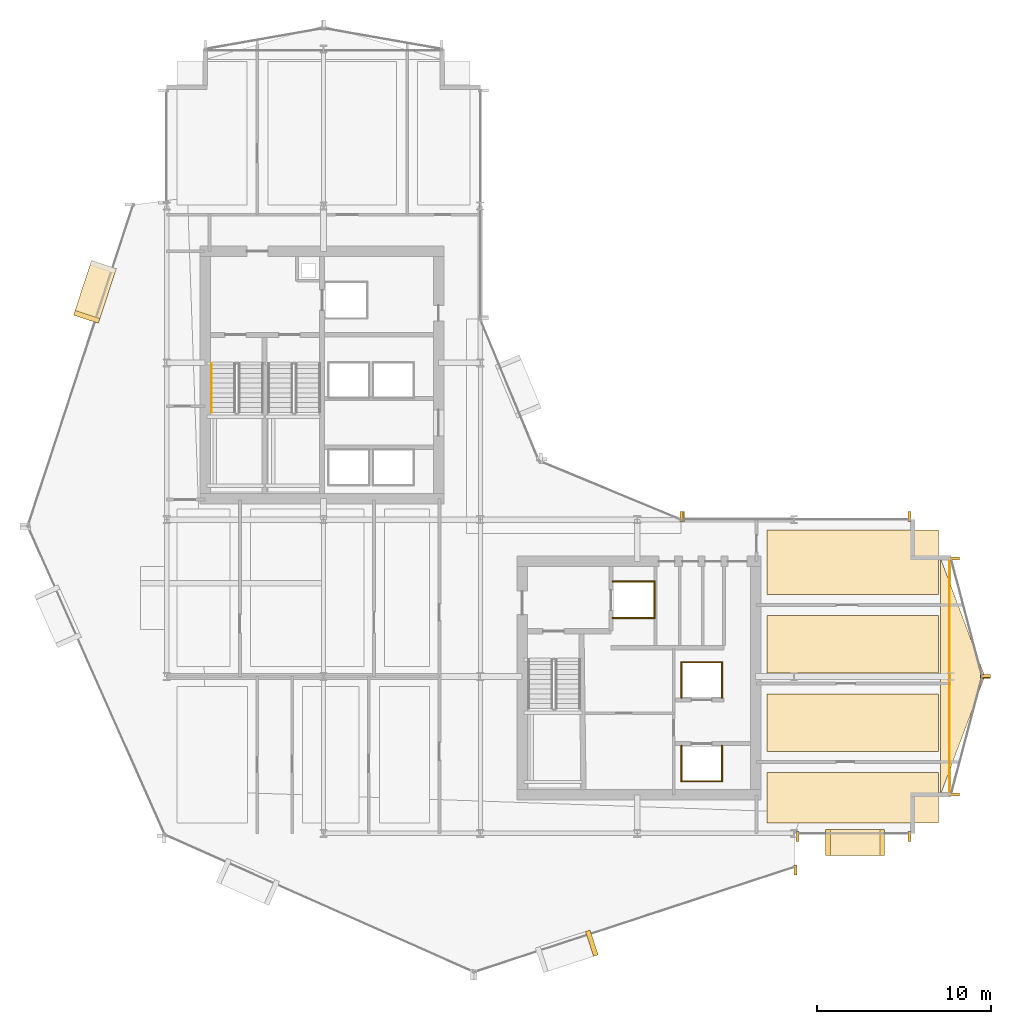
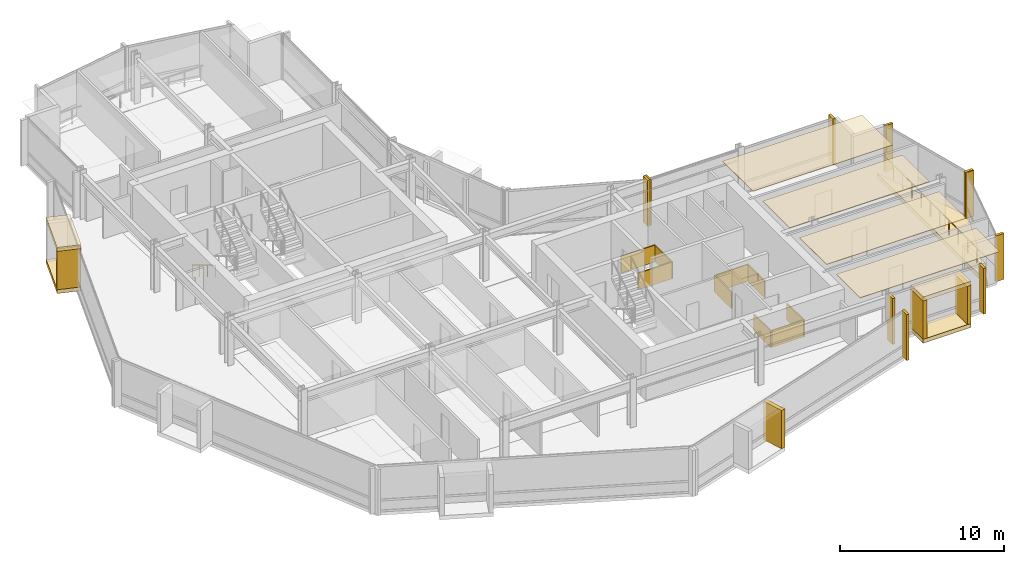
# One storey, part 28 of 29: 32 coverings, 2 railings.
"""IFC4 building model written with IfcOpenShell, lengths in metres."""

from ifc_helpers import new_model, si_unit, direction, frame, origin, origin_2d, place, context, subcontext, project, spatial, polyline, rectangle, circle, outline, extrude, material, layer, layer_set, type_object, element, save


model = new_model("IFC4")

# Units and contexts
model_context = context("Model", 3, precision=1e-05, world=origin(), true_north=direction((0.0, 1.0)))
body_context = subcontext(model_context, "Body", "Model", "MODEL_VIEW")
ifc_project = project(units=[si_unit("LENGTHUNIT", "METRE"), si_unit("AREAUNIT", "SQUARE_METRE"), si_unit("VOLUMEUNIT", "CUBIC_METRE"), si_unit("PLANEANGLEUNIT", "RADIAN"), si_unit("MASSUNIT", "GRAM", prefix="KILO")], contexts=[model_context])

# Site, building, storey
site_placement = place(None, origin())
site = spatial("IfcSite", under=ifc_project, at=site_placement, CompositionType="ELEMENT")
building_placement = place(site_placement, origin())
building = spatial("IfcBuilding", under=site, at=building_placement, Name="Solvaryn Broadcast Tower", CompositionType="ELEMENT")
storey_placement = place(building_placement, frame((0.0, 0.0, 121.10009765625)))
storey = spatial("IfcBuildingStorey", under=building, at=storey_placement, Name="L29", CompositionType="ELEMENT", Elevation=121.10009765625)

# Coverings
ifc_material_1 = material(Name="Micro-Perforated Acoustic Gypsum Ceiling", Category="concrete")
ifc_layer_1 = layer(ifc_material_1, 0.0400390625)
ifc_layer_set_1 = layer_set([ifc_layer_1], Name="CV-CEIL-ACOUSTIC")
covering_type_1 = type_object("IfcCoveringType", Name="CV-CEIL-ACOUSTIC", PredefinedType="CEILING", material=ifc_layer_set_1)
covering_1_placement = place(storey_placement, frame((0.0, 0.0, 3.3798828125)))
element("IfcCovering", 1, at=covering_1_placement, inside=storey, type_object=covering_type_1, Name="L29 Room Acoustic Ceiling 10", PredefinedType="CEILING", context=body_context, shape_type="SweptSolid", body=[
    extrude(outline(polyline([(43.449951171875, 9.60009765625), (53.300048828125, 9.60009765625), (53.300048828125, 12.5), (43.449951171875, 12.5), (43.449951171875, 9.60009765625)])), origin(), (0.0, 0.0, 1.0), 0.0400390625),
])
covering_2_placement = place(storey_placement, frame((0.0, 0.0, 3.3798828125)))
element("IfcCovering", 2, at=covering_2_placement, inside=storey, type_object=covering_type_1, Name="L29 Room Acoustic Ceiling 11", PredefinedType="CEILING", context=body_context, shape_type="SweptSolid", body=[
    extrude(outline(polyline([(43.449951171875, 13.699951171875), (53.300048828125, 13.699951171875), (53.300048828125, 17.0), (43.449951171875, 17.0), (43.449951171875, 13.699951171875)])), origin(), (0.0, 0.0, 1.0), 0.0400390625),
])
covering_3_placement = place(storey_placement, frame((0.0, 0.0, 3.3798828125)))
element("IfcCovering", 3, at=covering_3_placement, inside=storey, type_object=covering_type_1, Name="L29 Room Acoustic Ceiling 12", PredefinedType="CEILING", context=body_context, shape_type="SweptSolid", body=[
    extrude(outline(polyline([(43.449951171875, 18.199951171875), (53.300048828125, 18.199951171875), (53.300048828125, 21.5), (43.449951171875, 21.5), (43.449951171875, 18.199951171875)])), origin(), (0.0, 0.0, 1.0), 0.0400390625),
])
covering_4_placement = place(storey_placement, frame((0.0, 0.0, 3.3798828125)))
element("IfcCovering", 4, at=covering_4_placement, inside=storey, type_object=covering_type_1, Name="L29 Room Acoustic Ceiling 13", PredefinedType="CEILING", context=body_context, shape_type="SweptSolid", body=[
    extrude(outline(polyline([(43.449951171875, 22.699951171875), (53.300048828125, 22.699951171875), (53.300048828125, 26.39990234375), (43.449951171875, 26.39990234375), (43.449951171875, 22.699951171875)])), origin(), (0.0, 0.0, 1.0), 0.0400390625),
])
ifc_material_2 = material(Name="Fire-Rated Gypsum Shaftwall Liner", Category="concrete")
ifc_layer_2 = layer(ifc_material_2, 0.080078125)
ifc_layer_set_2 = layer_set([ifc_layer_2], Name="CV-SHAFT-LINER")
covering_type_2 = type_object("IfcCoveringType", Name="CV-SHAFT-LINER", PredefinedType="CLADDING", material=ifc_layer_set_2)
for number, where, z_axis, x_axis, name in (
    (5, (35.800048828125, 23.43994140625, 0.0), (0.0, 0.0, 1.0), (1.0, 0.0, 0.0), "L29 FL2 Hoistway Shaft Liner North"),
    (6, (35.800048828125, 21.360107421875, 0.0), (0.0, 0.0, 1.0), (1.0, 0.0, 0.0), "L29 FL2 Hoistway Shaft Liner South"),
):
    element("IfcCovering", number, at=place(storey_placement, frame(where, z_axis=z_axis, x_axis=x_axis)), inside=storey, type_object=covering_type_2, Name=name, PredefinedType="CLADDING", context=body_context, shape_type="SweptSolid", body=[
        extrude(rectangle(XDim=2.4599609375, YDim=0.080078125, at=origin_2d()), origin(), (0.0, 0.0, 1.0), 1.25),
    ])
covering_5_placement = place(storey_placement, frame((36.989990234375, 22.39990234375, 0.0), z_axis=(0.0, 0.0, 1.0), x_axis=(1.0, 0.0, 0.0)))
element("IfcCovering", 7, at=covering_5_placement, inside=storey, type_object=covering_type_2, Name="L29 FL2 Hoistway Shaft Liner East", PredefinedType="CLADDING", context=body_context, shape_type="SweptSolid", body=[
    extrude(rectangle(XDim=0.080078125, YDim=2.159912109375, at=origin_2d()), origin(), (0.0, 0.0, 1.0), 1.25),
])
covering_6_placement = place(storey_placement, frame((39.699951171875, 11.985107421875, 0.0), z_axis=(0.0, 0.0, 1.0), x_axis=(1.0, 0.0, 0.0)))
element("IfcCovering", 8, at=covering_6_placement, inside=storey, type_object=covering_type_2, Name="L29 PM1 Hoistway Shaft Liner South", PredefinedType="CLADDING", context=body_context, shape_type="SweptSolid", body=[
    extrude(rectangle(XDim=2.409912109375, YDim=0.080078125, at=origin_2d()), origin(), (0.0, 0.0, 1.0), 1.25),
])
for number, where, z_axis, x_axis, name in (
    (9, (40.864990234375, 13.0, 0.0), (0.0, 0.0, 1.0), (1.0, 0.0, 0.0), "L29 PM1 Hoistway Shaft Liner East"),
    (10, (38.534912109375, 13.0, 0.0), (0.0, 0.0, 1.0), (1.0, 0.0, 0.0), "L29 PM1 Hoistway Shaft Liner West"),
):
    element("IfcCovering", number, at=place(storey_placement, frame(where, z_axis=z_axis, x_axis=x_axis)), inside=storey, type_object=covering_type_2, Name=name, PredefinedType="CLADDING", context=body_context, shape_type="SweptSolid", body=[
        extrude(rectangle(XDim=0.080078125, YDim=2.110107421875, at=origin_2d()), origin(), (0.0, 0.0, 1.0), 1.25),
    ])
covering_7_placement = place(storey_placement, frame((39.699951171875, 18.81494140625, 0.0), z_axis=(0.0, 0.0, 1.0), x_axis=(1.0, 0.0, 0.0)))
element("IfcCovering", 11, at=covering_7_placement, inside=storey, type_object=covering_type_2, Name="L29 PM2 Hoistway Shaft Liner North", PredefinedType="CLADDING", context=body_context, shape_type="SweptSolid", body=[
    extrude(rectangle(XDim=2.409912109375, YDim=0.080078125, at=origin_2d()), origin(), (0.0, 0.0, 1.0), 1.25),
])
for number, where, z_axis, x_axis, name in (
    (12, (40.864990234375, 17.800048828125, 0.0), (0.0, 0.0, 1.0), (1.0, 0.0, 0.0), "L29 PM2 Hoistway Shaft Liner East"),
    (13, (38.534912109375, 17.800048828125, 0.0), (0.0, 0.0, 1.0), (1.0, 0.0, 0.0), "L29 PM2 Hoistway Shaft Liner West"),
):
    element("IfcCovering", number, at=place(storey_placement, frame(where, z_axis=z_axis, x_axis=x_axis)), inside=storey, type_object=covering_type_2, Name=name, PredefinedType="CLADDING", context=body_context, shape_type="SweptSolid", body=[
        extrude(rectangle(XDim=0.080078125, YDim=2.110107421875, at=origin_2d()), origin(), (0.0, 0.0, 1.0), 1.25),
    ])
ifc_material_3 = material(Name="Glazed Architectural Terracotta Rainscreen Cladding", Category="masonry")
ifc_layer_3 = layer(ifc_material_3, 0.280029296875)
ifc_layer_set_3 = layer_set([ifc_layer_3], Name="CV-TC-CLAD")
covering_type_3 = type_object("IfcCoveringType", Name="CV-TC-CLAD", PredefinedType="CLADDING", material=ifc_layer_set_3)
for number, where, z_axis, x_axis, name in (
    (14, (4.883056640625, 40.071044921875, 3.1298828125), (0.0, 0.0, 1.0), (-0.311671636848, -0.950189870912, 0.0), "L29 Projecting Stone Window Box Hood 1"),
    (15, (4.883056640625, 40.071044921875, -0.01025390625), (0.0, 0.0, 1.0), (-0.311671636848, -0.950189870912, 0.0), "L29 Projecting Stone Window Box Sill 1"),
):
    element("IfcCovering", number, at=place(storey_placement, frame(where, z_axis=z_axis, x_axis=x_axis)), inside=storey, type_object=covering_type_3, Name=name, PredefinedType="CLADDING", context=body_context, shape_type="SweptSolid", body=[
        extrude(rectangle(XDim=3.300048828125, YDim=1.5, at=origin_2d()), origin(), (0.0, 0.0, 1.0), 0.300048828125),
    ])
for number, where, z_axis, x_axis, name in (
    (16, (4.412353515625, 38.63623046875, 0.27978515625), (0.0, 0.0, 1.0), (-0.311671636848, -0.950189870912, 0.0), "L29 Projecting Stone Window Box Cheek 1-2"),
    (17, (33.396728515625, 2.693603515625, 0.27978515625), (0.0, 0.0, 1.0), (0.950189870912, 0.311671636848, 0.0), "L29 Projecting Stone Window Box Cheek 4-2"),
):
    element("IfcCovering", number, at=place(storey_placement, frame(where, z_axis=z_axis, x_axis=x_axis)), inside=storey, type_object=covering_type_3, Name=name, PredefinedType="CLADDING", context=body_context, shape_type="SweptSolid", body=[
        extrude(rectangle(XDim=0.280029296875, YDim=1.5, at=origin_2d()), origin(), (0.0, 0.0, 1.0), 2.860107421875),
    ])
for number, where, z_axis, x_axis, name in (
    (18, (48.5, 8.469970703125, 3.1298828125), (0.0, 0.0, 1.0), (1.0, 0.0, 0.0), "L29 Projecting Stone Window Box Hood 6"),
    (19, (48.5, 8.469970703125, -0.01025390625), (0.0, 0.0, 1.0), (1.0, 0.0, 0.0), "L29 Projecting Stone Window Box Sill 6"),
):
    element("IfcCovering", number, at=place(storey_placement, frame(where, z_axis=z_axis, x_axis=x_axis)), inside=storey, type_object=covering_type_3, Name=name, PredefinedType="CLADDING", context=body_context, shape_type="SweptSolid", body=[
        extrude(rectangle(XDim=3.39990234375, YDim=1.5, at=origin_2d()), origin(), (0.0, 0.0, 1.0), 0.300048828125),
    ])
for number, where, z_axis, x_axis, name in (
    (20, (46.93994140625, 8.469970703125, 0.27978515625), (0.0, 0.0, 1.0), (1.0, 0.0, 0.0), "L29 Projecting Stone Window Box Cheek 6-1"),
    (21, (50.06005859375, 8.469970703125, 0.27978515625), (0.0, 0.0, 1.0), (1.0, 0.0, 0.0), "L29 Projecting Stone Window Box Cheek 6-2"),
):
    element("IfcCovering", number, at=place(storey_placement, frame(where, z_axis=z_axis, x_axis=x_axis)), inside=storey, type_object=covering_type_3, Name=name, PredefinedType="CLADDING", context=body_context, shape_type="SweptSolid", body=[
        extrude(rectangle(XDim=0.280029296875, YDim=1.5, at=origin_2d()), origin(), (0.0, 0.0, 1.0), 2.860107421875),
    ])
ifc_material_4 = material(Name="Extruded Architectural Terracotta Fin", Category="masonry")
ifc_layer_4 = layer(ifc_material_4, 0.179931640625)
ifc_layer_set_4 = layer_set([ifc_layer_4], Name="CV-TC-FIN")
covering_type_4 = type_object("IfcCoveringType", Name="CV-TC-FIN", PredefinedType="USERDEFINED", material=ifc_layer_set_4)
for number, where, z_axis, x_axis, name in (
    (22, (45.0947265625, 6.898681640625, 0.0), (0.0, 0.0, 1.0), (1.0, 0.0, 0.0), "L29 Terracotta Vertical Fin FIN-L29-DR4-M01"),
    (23, (38.541259765625, 27.177978515625, 0.0), (0.0, 0.0, 1.0), (1.0, 0.0, 0.0), "L29 Terracotta Vertical Fin FIN-L29-CN1-M00"),
    (24, (45.197021484375, 8.8125, 0.0), (0.0, 0.0, 1.0), (1.0, 0.0, 0.0), "L29 Terracotta Vertical Fin FIN-L29-S2-M00"),
    (25, (51.6201171875, 8.8125, 0.0), (0.0, 0.0, 1.0), (1.0, 0.0, 0.0), "L29 Terracotta Vertical Fin FIN-L29-S2-M01"),
):
    element("IfcCovering", number, at=place(storey_placement, frame(where, z_axis=z_axis, x_axis=x_axis)), inside=storey, type_object=covering_type_4, Name=name, ObjectType="FIN", PredefinedType="USERDEFINED", context=body_context, shape_type="SweptSolid", body=[
        extrude(rectangle(XDim=0.179931640625, YDim=0.580078125, at=origin_2d()), origin(), (0.0, 0.0, 1.0), 3.419921875),
    ])
for number, where, z_axis, x_axis, name in (
    (26, (54.1953125, 24.77099609375, 0.0), (0.0, 0.0, 1.0), (1.0, 0.0, 0.0), "L29 Terracotta Vertical Fin FIN-L29-ET1-M00"),
    (27, (55.979736328125, 18.029052734375, 0.0), (0.0, 0.0, 1.0), (1.0, 0.0, 0.0), "L29 Terracotta Vertical Fin FIN-L29-ET1-M01"),
    (28, (55.979736328125, 17.970947265625, 0.0), (0.0, 0.0, 1.0), (1.0, 0.0, 0.0), "L29 Terracotta Vertical Fin FIN-L29-ET2-M00"),
    (29, (54.1953125, 11.22900390625, 0.0), (0.0, 0.0, 1.0), (1.0, 0.0, 0.0), "L29 Terracotta Vertical Fin FIN-L29-ET2-M01"),
):
    element("IfcCovering", number, at=place(storey_placement, frame(where, z_axis=z_axis, x_axis=x_axis)), inside=storey, type_object=covering_type_4, Name=name, ObjectType="FIN", PredefinedType="USERDEFINED", context=body_context, shape_type="SweptSolid", body=[
        extrude(rectangle(XDim=0.580078125, YDim=0.179931640625, at=origin_2d()), origin(), (0.0, 0.0, 1.0), 3.419921875),
    ])
for number, where, z_axis, x_axis, name in (
    (30, (38.6298828125, 27.1875, 0.0), (0.0, 0.0, 1.0), (1.0, 0.0, 0.0), "L29 Terracotta Vertical Fin FIN-L29-IH-M00"),
    (31, (51.6201171875, 27.1875, 0.0), (0.0, 0.0, 1.0), (1.0, 0.0, 0.0), "L29 Terracotta Vertical Fin FIN-L29-IH-M01"),
):
    element("IfcCovering", number, at=place(storey_placement, frame(where, z_axis=z_axis, x_axis=x_axis)), inside=storey, type_object=covering_type_4, Name=name, ObjectType="FIN", PredefinedType="USERDEFINED", context=body_context, shape_type="SweptSolid", body=[
        extrude(rectangle(XDim=0.179931640625, YDim=0.580078125, at=origin_2d()), origin(), (0.0, 0.0, 1.0), 3.419921875),
    ])
ifc_material_5 = material(Name="Sculpted Architectural Terracotta Wave Fascia", Category="masonry")
ifc_layer_5 = layer(ifc_material_5, 0.340087890625)
ifc_layer_set_5 = layer_set([ifc_layer_5], Name="CV-WAVE-TRAY")
covering_type_5 = type_object("IfcCoveringType", Name="CV-WAVE-TRAY", PredefinedType="CLADDING", material=ifc_layer_set_5)
covering_8_placement = place(storey_placement, frame((0.0, 0.0, -0.300048828125)))
element("IfcCovering", 32, at=covering_8_placement, inside=storey, type_object=covering_type_5, Name="L29 East Curved Wing Deck", PredefinedType="CLADDING", context=body_context, shape_type="SweptSolid", body=[
    extrude(outline(polyline([(53.39990234375, 11.199951171875), (55.949951171875, 18.0), (53.39990234375, 24.800048828125), (53.39990234375, 11.199951171875)])), origin(), (0.0, 0.0, 1.0), 0.329833984375),
])

# Railings
ifc_material_6 = material(Name="Brushed Stainless Steel Tubular Handrail", Category="steel")
railing_type_1 = type_object("IfcRailingType", Name="RL-STAIR-HANDRAIL", PredefinedType="HANDRAIL", material=ifc_material_6)
railing_1_placement = place(storey_placement, frame((11.570068359375, 35.9599609375, 0.16796875)))
element("IfcRailing", 33, at=railing_1_placement, inside=storey, type_object=railing_type_1, Name="L29 ST1 stair handrail 1", PredefinedType="HANDRAIL", context=body_context, shape_type="SweptSolid", body=[
    extrude(circle(Radius=0.02392578125, at=origin_2d()), frame((0.0, 0.0, 0.8759765625), z_axis=(0.0, -0.857242210791, 0.514913383045), x_axis=(1.0, 0.0, 0.0)), (0.0, 0.0, 1.0), 3.266357421875),
    extrude(circle(Radius=0.02099609375, at=origin_2d()), origin(), (0.0, 0.0, 1.0), 0.851806640625),
    extrude(circle(Radius=0.02099609375, at=origin_2d()), frame((0.0, -0.933349609375, 0.560546875)), (0.0, 0.0, 1.0), 0.851806640625),
    extrude(circle(Radius=0.02099609375, at=origin_2d()), frame((0.0, -1.86669921875, 1.121337890625)), (0.0, 0.0, 1.0), 0.851806640625),
    extrude(circle(Radius=0.02099609375, at=origin_2d()), frame((0.0, -2.800048828125, 1.681884765625)), (0.0, 0.0, 1.0), 0.851806640625),
])
ifc_material_7 = material(Name="Stainless Steel and Laminated Glass Guard", Category="steel")
railing_type_2 = type_object("IfcRailingType", Name="RL-TER-1150", PredefinedType="BALUSTRADE", material=ifc_material_7)
railing_2_placement = place(storey_placement, frame((53.919921875, 11.199951171875, 0.0)))
element("IfcRailing", 34, at=railing_2_placement, inside=storey, type_object=railing_type_2, Name="L29 East Wing Spandrel Edge Guard", PredefinedType="BALUSTRADE", context=body_context, shape_type="SweptSolid", body=[
    extrude(circle(Radius=0.02392578125, at=origin_2d()), frame((0.0, 0.0, 1.1259765625), z_axis=(0.0, 1.0, 0.0), x_axis=(-1.0, 0.0, 0.0)), (0.0, 0.0, 1.0), 13.60009765625),
    extrude(circle(Radius=0.02099609375, at=origin_2d()), origin(), (0.0, 0.0, 1.0), 1.101806640625),
    extrude(circle(Radius=0.02099609375, at=origin_2d()), frame((0.0, 1.13330078125, 0.0)), (0.0, 0.0, 1.0), 1.101806640625),
    extrude(circle(Radius=0.02099609375, at=origin_2d()), frame((0.0, 2.2666015625, 0.0)), (0.0, 0.0, 1.0), 1.101806640625),
    extrude(circle(Radius=0.02099609375, at=origin_2d()), frame((0.0, 3.39990234375, 0.0)), (0.0, 0.0, 1.0), 1.101806640625),
    extrude(circle(Radius=0.02099609375, at=origin_2d()), frame((0.0, 4.533447265625, 0.0)), (0.0, 0.0, 1.0), 1.101806640625),
    extrude(circle(Radius=0.02099609375, at=origin_2d()), frame((0.0, 5.666748046875, 0.0)), (0.0, 0.0, 1.0), 1.101806640625),
    extrude(circle(Radius=0.02099609375, at=origin_2d()), frame((0.0, 6.800048828125, 0.0)), (0.0, 0.0, 1.0), 1.101806640625),
    extrude(circle(Radius=0.02099609375, at=origin_2d()), frame((0.0, 7.933349609375, 0.0)), (0.0, 0.0, 1.0), 1.101806640625),
    extrude(circle(Radius=0.02099609375, at=origin_2d()), frame((0.0, 9.066650390625, 0.0)), (0.0, 0.0, 1.0), 1.101806640625),
    extrude(circle(Radius=0.02099609375, at=origin_2d()), frame((0.0, 10.2001953125, 0.0)), (0.0, 0.0, 1.0), 1.101806640625),
    extrude(circle(Radius=0.02099609375, at=origin_2d()), frame((0.0, 11.33349609375, 0.0)), (0.0, 0.0, 1.0), 1.101806640625),
    extrude(circle(Radius=0.02099609375, at=origin_2d()), frame((0.0, 12.466796875, 0.0)), (0.0, 0.0, 1.0), 1.101806640625),
    extrude(circle(Radius=0.02099609375, at=origin_2d()), frame((0.0, 13.60009765625, 0.0)), (0.0, 0.0, 1.0), 1.101806640625),
])

save(model, "model.ifc")
